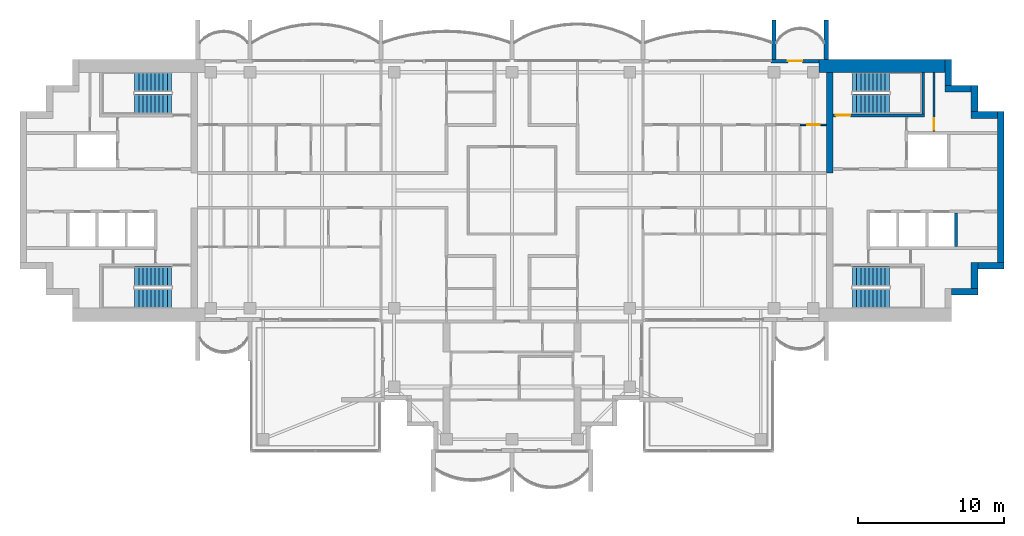
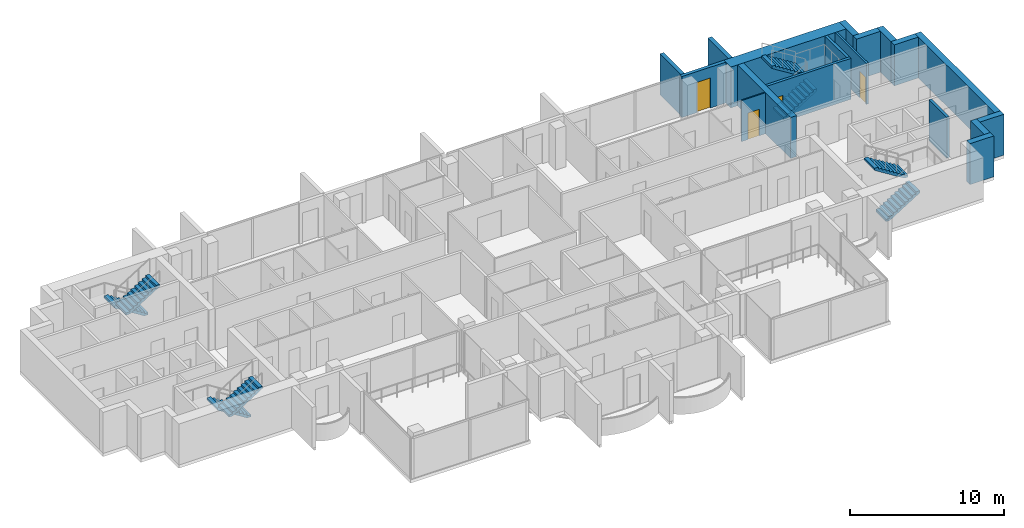
# One storey, part 12 of 16: 18 walls, 8 stair flights, 4 doors, 4 openings, 4 elements without a shape of their own.
"""IFC4 building model written with IfcOpenShell, lengths in metres."""

from ifc_helpers import new_model, si_unit, direction, frame, frame_2d, origin, place, context, subcontext, project, spatial, polyline, rectangle, outline, extrude, material, layer, layer_set, type_object, element, fill, aggregate, save


model = new_model("IFC4")

# Units and contexts
model_context = context("Model", 3, precision=1e-05, world=origin(), true_north=direction((0.0, 1.0)))
body_context = subcontext(model_context, "Body", "Model", "MODEL_VIEW")
ifc_project = project(units=[si_unit("LENGTHUNIT", "METRE"), si_unit("AREAUNIT", "SQUARE_METRE"), si_unit("VOLUMEUNIT", "CUBIC_METRE"), si_unit("PLANEANGLEUNIT", "RADIAN"), si_unit("MASSUNIT", "GRAM", prefix="KILO")], contexts=[model_context])

# Site, building, storey
site_placement = place(None, origin())
site = spatial("IfcSite", under=ifc_project, at=site_placement, CompositionType="ELEMENT")
building_placement = place(site_placement, origin())
building = spatial("IfcBuilding", under=site, at=building_placement, Name="Perihelion Cross Residences", CompositionType="ELEMENT")
storey_placement = place(building_placement, frame((0.0, 0.0, 236.0)))
storey = spatial("IfcBuildingStorey", under=building, at=storey_placement, Name="L59", CompositionType="ELEMENT", Elevation=236.0)

# Wall, opening, door
ifc_material_1 = material(Name="Concrete C30/37, bronze-clad", Category="concrete")
ifc_layer_1 = layer(ifc_material_1, 0.25)
ifc_layer_set_1 = layer_set([ifc_layer_1], Name="Bronze-clad pier wall 250")
wall_type_1 = type_object("IfcWallType", Name="Bronze-clad pier wall 250", PredefinedType="SOLIDWALL", material=ifc_layer_set_1)
wall_1_placement = place(storey_placement, frame((21.10009765625, 8.875, 0.0), z_axis=(0.0, 0.0, 1.0), x_axis=(-1.0, 0.0, 0.0)))
wall_1 = element("IfcWall", 1, at=wall_1_placement, inside=storey, type_object=wall_type_1, Name="Wall FW1 L59 east side north bay 1 pier", PredefinedType="SOLIDWALL", context=body_context, shape_type="SweptSolid", body=[
    extrude(rectangle(XDim=3.300048828125, YDim=0.25, at=frame_2d((1.64990234375, 0.0))), origin(), (0.0, 0.0, 1.0), 3.25),
])
opening_1_placement = place(wall_1_placement, frame((1.14990234375, 0.0, 0.0)))
opening_1 = element("IfcOpeningElement", 2, at=opening_1_placement, cuts=wall_1, Name="Opening L59.E01", PredefinedType="OPENING", context=body_context, shape_type="SweptSolid", body=[
    extrude(rectangle(XDim=1.0, YDim=2.39990234375, at=frame_2d((0.5, 1.199951171875))), frame((0.0, 0.135009765625, 0.0), z_axis=(0.0, -1.0, 0.0), x_axis=(1.0, 0.0, 0.0)), (0.0, 0.0, 1.0), 0.27001953125),
])
ifc_material_2 = material(Name="Bronze anodised aluminium, glazed", Category="aluminium")
door_type_1 = type_object("IfcDoorType", Name="Balcony door 1000 x 2400", OperationType="NOTDEFINED", PredefinedType="DOOR", material=ifc_material_2)
door_1_placement = place(opening_1_placement, origin())
door_1 = element("IfcDoor", 3, at=door_1_placement, inside=storey, type_object=door_type_1, Name="Door L59.E01 east side north bay 1", OperationType="SINGLE_SWING_LEFT", OverallHeight=2.39990234375, OverallWidth=1.0, PredefinedType="DOOR", context=body_context, shape_type="SweptSolid", body=[
    extrude(rectangle(XDim=1.0, YDim=2.39990234375, at=frame_2d((0.5, 1.199951171875))), frame((0.0, 0.02490234375, 0.0), z_axis=(0.0, -1.0, 0.0), x_axis=(1.0, 0.0, 0.0)), (0.0, 0.0, 1.0), 0.050048828125),
])
fill(opening_1, door_1)

# Walls
ifc_material_3 = material(Name="Concrete C60/75", Category="concrete")
ifc_layer_2 = layer(ifc_material_3, 0.449951171875)
ifc_layer_set_2 = layer_set([ifc_layer_2], Name="Core wall, inner 450")
wall_type_2 = type_object("IfcWallType", Name="Core wall, inner 450", PredefinedType="SHEAR", material=ifc_layer_set_2)
wall_2_placement = place(storey_placement, frame((21.824951171875, 1.199951171875, 0.0), z_axis=(0.0, 0.0, 1.0), x_axis=(0.0, 1.0, 0.0)))
element("IfcWall", 4, at=wall_2_placement, inside=storey, type_object=wall_type_2, Name="East core core wall, inner", PredefinedType="SHEAR", context=body_context, shape_type="SweptSolid", body=[
    extrude(rectangle(XDim=6.900146484375, YDim=0.449951171875, at=frame_2d((3.4501953125, 0.0))), origin(), (0.0, 0.0, 1.0), 3.25),
])
ifc_material_4 = material(Name="Concrete C60/75", Category="concrete")
ifc_layer_3 = layer(ifc_material_4, 0.449951171875)
ifc_layer_set_3 = layer_set([ifc_layer_3], Name="Core wall, outer 450")
wall_type_3 = type_object("IfcWallType", Name="Core wall, outer 450", PredefinedType="SHEAR", material=ifc_layer_set_3)
for number, where, z_axis, x_axis, name in (
    (5, (30.199951171875, -6.97509765625, 0.0), (0.0, 0.0, 1.0), (1.0, 0.0, 0.0), "East core core wall, outer"),
    (6, (31.77490234375, -6.75, 0.0), (0.0, 0.0, 1.0), (0.0, 1.0, 0.0), "East core core wall, outer"),
    (7, (32.0, -5.175048828125, 0.0), (0.0, 0.0, 1.0), (1.0, 0.0, 0.0), "East core core wall, outer"),
):
    element("IfcWall", number, at=place(storey_placement, frame(where, z_axis=z_axis, x_axis=x_axis)), inside=storey, type_object=wall_type_3, Name=name, PredefinedType="SHEAR", context=body_context, shape_type="SweptSolid", body=[
        extrude(rectangle(XDim=1.800048828125, YDim=0.449951171875, at=frame_2d((0.89990234375, 0.0))), origin(), (0.0, 0.0, 1.0), 3.25),
    ])
wall_3_placement = place(storey_placement, frame((33.574951171875, -4.949951171875, 0.0), z_axis=(0.0, 0.0, 1.0), x_axis=(0.0, 1.0, 0.0)))
element("IfcWall", 8, at=wall_3_placement, inside=storey, type_object=wall_type_3, Name="East core core wall, outer", PredefinedType="SHEAR", context=body_context, shape_type="SweptSolid", body=[
    extrude(rectangle(XDim=10.349853515625, YDim=0.449951171875, at=frame_2d((5.1748046875, 0.0))), origin(), (0.0, 0.0, 1.0), 3.25),
])
for number, where, z_axis, x_axis, name in (
    (9, (31.550048828125, 5.175048828125, 0.0), (0.0, 0.0, 1.0), (1.0, 0.0, 0.0), "East core core wall, outer"),
    (10, (31.77490234375, 5.39990234375, 0.0), (0.0, 0.0, 1.0), (0.0, 1.0, 0.0), "East core core wall, outer"),
    (11, (29.75, 6.97509765625, 0.0), (0.0, 0.0, 1.0), (1.0, 0.0, 0.0), "East core core wall, outer"),
    (12, (29.97509765625, 7.199951171875, 0.0), (0.0, 0.0, 1.0), (0.0, 1.0, 0.0), "East core core wall, outer"),
):
    element("IfcWall", number, at=place(storey_placement, frame(where, z_axis=z_axis, x_axis=x_axis)), inside=storey, type_object=wall_type_3, Name=name, PredefinedType="SHEAR", context=body_context, shape_type="SweptSolid", body=[
        extrude(rectangle(XDim=1.800048828125, YDim=0.449951171875, at=frame_2d((0.89990234375, 0.0))), origin(), (0.0, 0.0, 1.0), 3.25),
    ])
ifc_material_5 = material(Name="Concrete C60/75", Category="concrete")
ifc_layer_4 = layer(ifc_material_5, 0.89990234375)
ifc_layer_set_4 = layer_set([ifc_layer_4], Name="Core wall, outer 900")
wall_type_4 = type_object("IfcWallType", Name="Core wall, outer 900", PredefinedType="SHEAR", material=ifc_layer_set_4)
wall_4_placement = place(storey_placement, frame((21.10009765625, 8.550048828125, 0.0), z_axis=(0.0, 0.0, 1.0), x_axis=(1.0, 0.0, 0.0)))
element("IfcWall", 13, at=wall_4_placement, inside=storey, type_object=wall_type_4, Name="East core core wall, outer", PredefinedType="SHEAR", context=body_context, shape_type="SweptSolid", body=[
    extrude(rectangle(XDim=8.64990234375, YDim=0.89990234375, at=frame_2d((4.324951171875, 0.0))), origin(), (0.0, 0.0, 1.0), 3.25),
])
ifc_material_6 = material(Name="Precast concrete C50/60", Category="concrete")
ifc_layer_5 = layer(ifc_material_6, 0.300048828125)
ifc_layer_set_5 = layer_set([ifc_layer_5], Name="Precast concrete C50/60 blade wall 300")
wall_type_5 = type_object("IfcWallType", Name="Precast concrete C50/60 blade wall 300", PredefinedType="SOLIDWALL", material=ifc_layer_set_5)
for number, where, z_axis, x_axis, name in (
    (14, (18.0, 9.0, 0.0), (0.0, 0.0, 1.0), (0.0, 1.0, 0.0), "Wall BL1 L59 no. 11"),
    (15, (21.60009765625, 9.0, 0.0), (0.0, 0.0, 1.0), (0.0, 1.0, 0.0), "Wall BL1 L59 no. 13"),
):
    element("IfcWall", number, at=place(storey_placement, frame(where, z_axis=z_axis, x_axis=x_axis)), inside=storey, type_object=wall_type_5, Name=name, PredefinedType="SOLIDWALL", context=body_context, shape_type="SweptSolid", body=[
        extrude(rectangle(XDim=2.699951171875, YDim=0.300048828125, at=frame_2d((1.35009765625, 0.0))), origin(), (0.0, 0.0, 1.0), 3.25),
    ])

# Wall, opening, door
ifc_material_7 = material(Name="Fire-rated board on steel stud", Category="steel")
ifc_layer_6 = layer(ifc_material_7, 0.14990234375)
ifc_layer_set_6 = layer_set([ifc_layer_6], Name="Riser wall 150")
wall_type_6 = type_object("IfcWallType", Name="Riser wall 150", PredefinedType="PARTITIONING", material=ifc_layer_set_6)
wall_5_placement = place(storey_placement, frame((29.0, 4.050048828125, 0.0), z_axis=(0.0, 0.0, 1.0), x_axis=(0.0, 1.0, 0.0)))
wall_5 = element("IfcWall", 16, at=wall_5_placement, inside=storey, type_object=wall_type_6, Name="East core riser wall", PredefinedType="PARTITIONING", context=body_context, shape_type="SweptSolid", body=[
    extrude(rectangle(XDim=4.050048828125, YDim=0.14990234375, at=frame_2d((2.02490234375, 0.0))), origin(), (0.0, 0.0, 1.0), 3.25),
])
opening_2_placement = place(wall_5_placement, frame((0.10009765625, 0.0, 0.0)))
opening_2 = element("IfcOpeningElement", 17, at=opening_2_placement, cuts=wall_5, Name="Opening L59.C12", PredefinedType="OPENING", context=body_context, shape_type="SweptSolid", body=[
    extrude(rectangle(XDim=0.800048828125, YDim=2.10009765625, at=frame_2d((0.39990234375, 1.050048828125))), frame((0.0, 0.0849609375, 0.0), z_axis=(0.0, -1.0, 0.0), x_axis=(1.0, 0.0, 0.0)), (0.0, 0.0, 1.0), 0.169921875),
])
ifc_material_8 = material(Name="Steel, powder coated", Category="steel")
door_type_2 = type_object("IfcDoorType", Name="Riser door 800", OperationType="SINGLE_SWING_LEFT", PredefinedType="DOOR", material=ifc_material_8)
door_2_placement = place(opening_2_placement, origin())
door_2 = element("IfcDoor", 18, at=door_2_placement, inside=storey, type_object=door_type_2, Name="East core riser door", OperationType="SINGLE_SWING_LEFT", OverallHeight=2.10009765625, OverallWidth=0.800048828125, PredefinedType="DOOR", context=body_context, shape_type="SweptSolid", body=[
    extrude(rectangle(XDim=0.800048828125, YDim=2.10009765625, at=frame_2d((0.39990234375, 1.050048828125))), frame((0.0, 0.02490234375, 0.0), z_axis=(0.0, -1.0, 0.0), x_axis=(1.0, 0.0, 0.0)), (0.0, 0.0, 1.0), 0.050048828125),
])
fill(opening_2, door_2)

# Wall
ifc_material_9 = material(Name="Concrete C50/60", Category="concrete")
ifc_layer_7 = layer(ifc_material_9, 0.199951171875)
ifc_layer_set_7 = layer_set([ifc_layer_7], Name="Shaft wall 200")
wall_type_7 = type_object("IfcWallType", Name="Shaft wall 200", PredefinedType="SOLIDWALL", material=ifc_layer_set_7)
wall_6_placement = place(storey_placement, frame((30.5, -3.85009765625, 0.0), z_axis=(0.0, 0.0, 1.0), x_axis=(0.0, 1.0, 0.0)))
element("IfcWall", 19, at=wall_6_placement, inside=storey, type_object=wall_type_7, Name="East core shaft wall", PredefinedType="SOLIDWALL", context=body_context, shape_type="SweptSolid", body=[
    extrude(rectangle(XDim=2.300048828125, YDim=0.199951171875, at=frame_2d((1.14990234375, 0.0))), origin(), (0.0, 0.0, 1.0), 3.25),
])

# Wall, opening, door
ifc_material_10 = material(Name="Concrete C50/60", Category="concrete")
ifc_layer_8 = layer(ifc_material_10, 0.199951171875)
ifc_layer_set_8 = layer_set([ifc_layer_8], Name="Stair wall 200")
wall_type_8 = type_object("IfcWallType", Name="Stair wall 200", PredefinedType="SOLIDWALL", material=ifc_layer_set_8)
wall_7_placement = place(storey_placement, frame((22.050048828125, 5.14990234375, 0.0), z_axis=(0.0, 0.0, 1.0), x_axis=(1.0, 0.0, 0.0)))
wall_7 = element("IfcWall", 20, at=wall_7_placement, inside=storey, type_object=wall_type_8, Name="East core stair wall", PredefinedType="SOLIDWALL", context=body_context, shape_type="SweptSolid", body=[
    extrude(rectangle(XDim=6.300048828125, YDim=0.199951171875, at=frame_2d((3.14990234375, 0.0))), origin(), (0.0, 0.0, 1.0), 3.25),
])
opening_3_placement = place(wall_7_placement, frame((0.199951171875, 0.0, 0.0)))
opening_3 = element("IfcOpeningElement", 21, at=opening_3_placement, cuts=wall_7, Name="Opening L59.C06", PredefinedType="OPENING", context=body_context, shape_type="SweptSolid", body=[
    extrude(rectangle(XDim=1.0, YDim=2.10009765625, at=frame_2d((0.5, 1.050048828125))), frame((0.0, 0.10986328125, 0.0), z_axis=(0.0, -1.0, 0.0), x_axis=(1.0, 0.0, 0.0)), (0.0, 0.0, 1.0), 0.219970703125),
])
ifc_material_11 = material(Name="Steel, powder coated", Category="steel")
door_type_3 = type_object("IfcDoorType", Name="Stair door 1000", OperationType="SINGLE_SWING_LEFT", PredefinedType="DOOR", material=ifc_material_11)
door_3_placement = place(opening_3_placement, origin())
door_3 = element("IfcDoor", 22, at=door_3_placement, inside=storey, type_object=door_type_3, Name="East core stair door", OperationType="SINGLE_SWING_LEFT", OverallHeight=2.10009765625, OverallWidth=1.0, PredefinedType="DOOR", context=body_context, shape_type="SweptSolid", body=[
    extrude(rectangle(XDim=1.0, YDim=2.10009765625, at=frame_2d((0.5, 1.050048828125))), frame((0.0, 0.02490234375, 0.0), z_axis=(0.0, -1.0, 0.0), x_axis=(1.0, 0.0, 0.0)), (0.0, 0.0, 1.0), 0.050048828125),
])
fill(opening_3, door_3)

# Wall
wall_8_placement = place(storey_placement, frame((28.25, 5.25, 0.0), z_axis=(0.0, 0.0, 1.0), x_axis=(0.0, 1.0, 0.0)))
element("IfcWall", 23, at=wall_8_placement, inside=storey, type_object=wall_type_8, Name="East core stair wall", PredefinedType="SOLIDWALL", context=body_context, shape_type="SweptSolid", body=[
    extrude(rectangle(XDim=2.85009765625, YDim=0.199951171875, at=frame_2d((1.425048828125, 0.0))), origin(), (0.0, 0.0, 1.0), 3.25),
])

# Wall, opening, door
ifc_material_12 = material(Name="Plasterboard partition")
ifc_layer_9 = layer(ifc_material_12, 0.10009765625)
ifc_layer_set_9 = layer_set([ifc_layer_9], Name="Wet room wall 100")
wall_type_9 = type_object("IfcWallType", Name="Wet room wall 100", PredefinedType="PARTITIONING", material=ifc_layer_set_9)
wall_9_placement = place(storey_placement, frame((19.800048828125, 4.5, 0.0), z_axis=(0.0, 0.0, 1.0), x_axis=(1.0, 0.0, 0.0)))
wall_9 = element("IfcWall", 24, at=wall_9_placement, inside=storey, type_object=wall_type_9, Name="Partition L59 W030", PredefinedType="PARTITIONING", context=body_context, shape_type="SweptSolid", body=[
    extrude(rectangle(XDim=1.800048828125, YDim=0.10009765625, at=frame_2d((0.89990234375, 0.0))), origin(), (0.0, 0.0, 1.0), 3.25),
])
opening_4_placement = place(wall_9_placement, frame((0.47509765625, 0.0, 0.0)))
opening_4 = element("IfcOpeningElement", 25, at=opening_4_placement, cuts=wall_9, Name="Opening L59.A05", PredefinedType="OPENING", context=body_context, shape_type="SweptSolid", body=[
    extrude(rectangle(XDim=0.85009765625, YDim=2.10009765625, at=frame_2d((0.425048828125, 1.050048828125))), frame((0.0, 0.06005859375, 0.0), z_axis=(0.0, -1.0, 0.0), x_axis=(1.0, 0.0, 0.0)), (0.0, 0.0, 1.0), 0.1201171875),
])
ifc_material_13 = material(Name="Timber door leaf", Category="wood")
door_type_4 = type_object("IfcDoorType", Name="Interior bathroom door 850 x 2100", OperationType="SINGLE_SWING_LEFT", PredefinedType="DOOR", material=ifc_material_13)
door_4_placement = place(opening_4_placement, origin())
door_4 = element("IfcDoor", 26, at=door_4_placement, inside=storey, type_object=door_type_4, Name="Door L59.A05", OperationType="SINGLE_SWING_LEFT", OverallHeight=2.10009765625, OverallWidth=0.85009765625, PredefinedType="DOOR", context=body_context, shape_type="SweptSolid", body=[
    extrude(rectangle(XDim=0.85009765625, YDim=2.10009765625, at=frame_2d((0.425048828125, 1.050048828125))), frame((0.0, 0.02490234375, 0.0), z_axis=(0.0, -1.0, 0.0), x_axis=(1.0, 0.0, 0.0)), (0.0, 0.0, 1.0), 0.050048828125),
])
fill(opening_4, door_4)

# Stair, stair flights
ifc_material_14 = material(Name="Concrete C40/50", Category="concrete")
stair_type = type_object("IfcStairType", Name="Exit stair, half-turn", PredefinedType="HALF_TURN_STAIR", material=ifc_material_14)
stair_1_placement = place(storey_placement, origin())
stair_1 = element("IfcStair", 27, at=stair_1_placement, inside=storey, type_object=stair_type, Name="L59 East core exit stair 1", PredefinedType="HALF_TURN_STAIR")
ifc_material_15 = material(Name="Concrete C40/50", Category="concrete")
stair_flight_type = type_object("IfcStairFlightType", Name="Exit stair flight", PredefinedType="STRAIGHT", material=ifc_material_15)
stair_flight_1_placement = place(storey_placement, frame((23.39990234375, 5.925048828125, 0.0), z_axis=(0.0, 0.0, 1.0), x_axis=(1.0, 0.0, 0.0)))
stair_flight_1 = element("IfcStairFlight", 28, at=stair_flight_1_placement, type_object=stair_flight_type, Name="ST-E1 flight 1", NumberOfRisers=10, NumberOfTreads=9, PredefinedType="STRAIGHT", RiserHeight=0.175, TreadLength=0.28, context=body_context, shape_type="SweptSolid", body=[
    extrude(outline(polyline([(0.0, 0.0), (0.0, 0.175048828125), (0.280029296875, 0.175048828125), (0.280029296875, 0.35009765625), (0.56005859375, 0.35009765625), (0.56005859375, 0.52490234375), (0.840087890625, 0.52490234375), (0.840087890625, 0.699951171875), (1.1201171875, 0.699951171875), (1.1201171875, 0.875), (1.39990234375, 0.875), (1.39990234375, 1.050048828125), (1.679931640625, 1.050048828125), (1.679931640625, 1.22509765625), (1.9599609375, 1.22509765625), (1.9599609375, 1.39990234375), (2.239990234375, 1.39990234375), (2.239990234375, 1.574951171875), (2.52001953125, 1.574951171875), (2.52001953125, 1.75), (2.52001953125, 1.398193359375), (0.28271484375, 0.0), (0.0, 0.0)])), frame((0.0, 0.675048828125, 0.0), z_axis=(0.0, -1.0, 0.0), x_axis=(1.0, 0.0, 0.0)), (0.0, 0.0, 1.0), 1.35009765625),
])
stair_flight_2_placement = place(storey_placement, frame((25.919921875, 7.425048828125, 1.75), z_axis=(0.0, 0.0, 1.0), x_axis=(-1.0, 0.0, 0.0)))
stair_flight_2 = element("IfcStairFlight", 29, at=stair_flight_2_placement, type_object=stair_flight_type, Name="ST-E1 flight 2", NumberOfRisers=10, NumberOfTreads=9, PredefinedType="STRAIGHT", RiserHeight=0.175, TreadLength=0.28, context=body_context, shape_type="SweptSolid", body=[
    extrude(outline(polyline([(0.0, 0.0), (0.0, 0.175048828125), (0.280029296875, 0.175048828125), (0.280029296875, 0.35009765625), (0.56005859375, 0.35009765625), (0.56005859375, 0.52490234375), (0.840087890625, 0.52490234375), (0.840087890625, 0.699951171875), (1.1201171875, 0.699951171875), (1.1201171875, 0.875), (1.39990234375, 0.875), (1.39990234375, 1.050048828125), (1.679931640625, 1.050048828125), (1.679931640625, 1.22509765625), (1.9599609375, 1.22509765625), (1.9599609375, 1.39990234375), (2.239990234375, 1.39990234375), (2.239990234375, 1.574951171875), (2.52001953125, 1.574951171875), (2.52001953125, 1.75), (2.52001953125, 1.398193359375), (0.28271484375, 0.0), (0.0, 0.0)])), frame((0.0, 0.675048828125, 0.0), z_axis=(0.0, -1.0, 0.0), x_axis=(1.0, 0.0, 0.0)), (0.0, 0.0, 1.0), 1.35009765625),
])
aggregate(stair_1, [stair_flight_1, stair_flight_2])

stair_2_placement = place(storey_placement, origin())
stair_2 = element("IfcStair", 30, at=stair_2_placement, inside=storey, type_object=stair_type, Name="L59 East core exit stair 2", PredefinedType="HALF_TURN_STAIR")
stair_flight_3_placement = place(storey_placement, frame((23.39990234375, -7.425048828125, 0.0), z_axis=(0.0, 0.0, 1.0), x_axis=(1.0, 0.0, 0.0)))
stair_flight_3 = element("IfcStairFlight", 31, at=stair_flight_3_placement, type_object=stair_flight_type, Name="ST-E2 flight 1", NumberOfRisers=10, NumberOfTreads=9, PredefinedType="STRAIGHT", RiserHeight=0.175, TreadLength=0.28, context=body_context, shape_type="SweptSolid", body=[
    extrude(outline(polyline([(0.0, 0.0), (0.0, 0.175048828125), (0.280029296875, 0.175048828125), (0.280029296875, 0.35009765625), (0.56005859375, 0.35009765625), (0.56005859375, 0.52490234375), (0.840087890625, 0.52490234375), (0.840087890625, 0.699951171875), (1.1201171875, 0.699951171875), (1.1201171875, 0.875), (1.39990234375, 0.875), (1.39990234375, 1.050048828125), (1.679931640625, 1.050048828125), (1.679931640625, 1.22509765625), (1.9599609375, 1.22509765625), (1.9599609375, 1.39990234375), (2.239990234375, 1.39990234375), (2.239990234375, 1.574951171875), (2.52001953125, 1.574951171875), (2.52001953125, 1.75), (2.52001953125, 1.398193359375), (0.28271484375, 0.0), (0.0, 0.0)])), frame((0.0, 0.675048828125, 0.0), z_axis=(0.0, -1.0, 0.0), x_axis=(1.0, 0.0, 0.0)), (0.0, 0.0, 1.0), 1.35009765625),
])
stair_flight_4_placement = place(storey_placement, frame((25.919921875, -5.925048828125, 1.75), z_axis=(0.0, 0.0, 1.0), x_axis=(-1.0, 0.0, 0.0)))
stair_flight_4 = element("IfcStairFlight", 32, at=stair_flight_4_placement, type_object=stair_flight_type, Name="ST-E2 flight 2", NumberOfRisers=10, NumberOfTreads=9, PredefinedType="STRAIGHT", RiserHeight=0.175, TreadLength=0.28, context=body_context, shape_type="SweptSolid", body=[
    extrude(outline(polyline([(0.0, 0.0), (0.0, 0.175048828125), (0.280029296875, 0.175048828125), (0.280029296875, 0.35009765625), (0.56005859375, 0.35009765625), (0.56005859375, 0.52490234375), (0.840087890625, 0.52490234375), (0.840087890625, 0.699951171875), (1.1201171875, 0.699951171875), (1.1201171875, 0.875), (1.39990234375, 0.875), (1.39990234375, 1.050048828125), (1.679931640625, 1.050048828125), (1.679931640625, 1.22509765625), (1.9599609375, 1.22509765625), (1.9599609375, 1.39990234375), (2.239990234375, 1.39990234375), (2.239990234375, 1.574951171875), (2.52001953125, 1.574951171875), (2.52001953125, 1.75), (2.52001953125, 1.398193359375), (0.28271484375, 0.0), (0.0, 0.0)])), frame((0.0, 0.675048828125, 0.0), z_axis=(0.0, -1.0, 0.0), x_axis=(1.0, 0.0, 0.0)), (0.0, 0.0, 1.0), 1.35009765625),
])
aggregate(stair_2, [stair_flight_3, stair_flight_4])

stair_3_placement = place(storey_placement, origin())
stair_3 = element("IfcStair", 33, at=stair_3_placement, inside=storey, type_object=stair_type, Name="L59 West core exit stair 1", PredefinedType="HALF_TURN_STAIR")
stair_flight_5_placement = place(storey_placement, frame((-23.39990234375, 7.425048828125, 0.0), z_axis=(0.0, 0.0, 1.0), x_axis=(-1.0, 0.0, 0.0)))
stair_flight_5 = element("IfcStairFlight", 34, at=stair_flight_5_placement, type_object=stair_flight_type, Name="ST-W1 flight 1", NumberOfRisers=10, NumberOfTreads=9, PredefinedType="STRAIGHT", RiserHeight=0.175, TreadLength=0.28, context=body_context, shape_type="SweptSolid", body=[
    extrude(outline(polyline([(0.0, 0.0), (0.0, 0.175048828125), (0.280029296875, 0.175048828125), (0.280029296875, 0.35009765625), (0.56005859375, 0.35009765625), (0.56005859375, 0.52490234375), (0.840087890625, 0.52490234375), (0.840087890625, 0.699951171875), (1.1201171875, 0.699951171875), (1.1201171875, 0.875), (1.39990234375, 0.875), (1.39990234375, 1.050048828125), (1.679931640625, 1.050048828125), (1.679931640625, 1.22509765625), (1.9599609375, 1.22509765625), (1.9599609375, 1.39990234375), (2.239990234375, 1.39990234375), (2.239990234375, 1.574951171875), (2.52001953125, 1.574951171875), (2.52001953125, 1.75), (2.52001953125, 1.398193359375), (0.28271484375, 0.0), (0.0, 0.0)])), frame((0.0, 0.675048828125, 0.0), z_axis=(0.0, -1.0, 0.0), x_axis=(1.0, 0.0, 0.0)), (0.0, 0.0, 1.0), 1.35009765625),
])
stair_flight_6_placement = place(storey_placement, frame((-25.919921875, 5.925048828125, 1.75), z_axis=(0.0, 0.0, 1.0), x_axis=(1.0, 0.0, 0.0)))
stair_flight_6 = element("IfcStairFlight", 35, at=stair_flight_6_placement, type_object=stair_flight_type, Name="ST-W1 flight 2", NumberOfRisers=10, NumberOfTreads=9, PredefinedType="STRAIGHT", RiserHeight=0.175, TreadLength=0.28, context=body_context, shape_type="SweptSolid", body=[
    extrude(outline(polyline([(0.0, 0.0), (0.0, 0.175048828125), (0.280029296875, 0.175048828125), (0.280029296875, 0.35009765625), (0.56005859375, 0.35009765625), (0.56005859375, 0.52490234375), (0.840087890625, 0.52490234375), (0.840087890625, 0.699951171875), (1.1201171875, 0.699951171875), (1.1201171875, 0.875), (1.39990234375, 0.875), (1.39990234375, 1.050048828125), (1.679931640625, 1.050048828125), (1.679931640625, 1.22509765625), (1.9599609375, 1.22509765625), (1.9599609375, 1.39990234375), (2.239990234375, 1.39990234375), (2.239990234375, 1.574951171875), (2.52001953125, 1.574951171875), (2.52001953125, 1.75), (2.52001953125, 1.398193359375), (0.28271484375, 0.0), (0.0, 0.0)])), frame((0.0, 0.675048828125, 0.0), z_axis=(0.0, -1.0, 0.0), x_axis=(1.0, 0.0, 0.0)), (0.0, 0.0, 1.0), 1.35009765625),
])
aggregate(stair_3, [stair_flight_5, stair_flight_6])

stair_4_placement = place(storey_placement, origin())
stair_4 = element("IfcStair", 36, at=stair_4_placement, inside=storey, type_object=stair_type, Name="L59 West core exit stair 2", PredefinedType="HALF_TURN_STAIR")
stair_flight_7_placement = place(storey_placement, frame((-23.39990234375, -5.925048828125, 0.0), z_axis=(0.0, 0.0, 1.0), x_axis=(-1.0, 0.0, 0.0)))
stair_flight_7 = element("IfcStairFlight", 37, at=stair_flight_7_placement, type_object=stair_flight_type, Name="ST-W2 flight 1", NumberOfRisers=10, NumberOfTreads=9, PredefinedType="STRAIGHT", RiserHeight=0.175, TreadLength=0.28, context=body_context, shape_type="SweptSolid", body=[
    extrude(outline(polyline([(0.0, 0.0), (0.0, 0.175048828125), (0.280029296875, 0.175048828125), (0.280029296875, 0.35009765625), (0.56005859375, 0.35009765625), (0.56005859375, 0.52490234375), (0.840087890625, 0.52490234375), (0.840087890625, 0.699951171875), (1.1201171875, 0.699951171875), (1.1201171875, 0.875), (1.39990234375, 0.875), (1.39990234375, 1.050048828125), (1.679931640625, 1.050048828125), (1.679931640625, 1.22509765625), (1.9599609375, 1.22509765625), (1.9599609375, 1.39990234375), (2.239990234375, 1.39990234375), (2.239990234375, 1.574951171875), (2.52001953125, 1.574951171875), (2.52001953125, 1.75), (2.52001953125, 1.398193359375), (0.28271484375, 0.0), (0.0, 0.0)])), frame((0.0, 0.675048828125, 0.0), z_axis=(0.0, -1.0, 0.0), x_axis=(1.0, 0.0, 0.0)), (0.0, 0.0, 1.0), 1.35009765625),
])
stair_flight_8_placement = place(storey_placement, frame((-25.919921875, -7.425048828125, 1.75), z_axis=(0.0, 0.0, 1.0), x_axis=(1.0, 0.0, 0.0)))
stair_flight_8 = element("IfcStairFlight", 38, at=stair_flight_8_placement, type_object=stair_flight_type, Name="ST-W2 flight 2", NumberOfRisers=10, NumberOfTreads=9, PredefinedType="STRAIGHT", RiserHeight=0.175, TreadLength=0.28, context=body_context, shape_type="SweptSolid", body=[
    extrude(outline(polyline([(0.0, 0.0), (0.0, 0.175048828125), (0.280029296875, 0.175048828125), (0.280029296875, 0.35009765625), (0.56005859375, 0.35009765625), (0.56005859375, 0.52490234375), (0.840087890625, 0.52490234375), (0.840087890625, 0.699951171875), (1.1201171875, 0.699951171875), (1.1201171875, 0.875), (1.39990234375, 0.875), (1.39990234375, 1.050048828125), (1.679931640625, 1.050048828125), (1.679931640625, 1.22509765625), (1.9599609375, 1.22509765625), (1.9599609375, 1.39990234375), (2.239990234375, 1.39990234375), (2.239990234375, 1.574951171875), (2.52001953125, 1.574951171875), (2.52001953125, 1.75), (2.52001953125, 1.398193359375), (0.28271484375, 0.0), (0.0, 0.0)])), frame((0.0, 0.675048828125, 0.0), z_axis=(0.0, -1.0, 0.0), x_axis=(1.0, 0.0, 0.0)), (0.0, 0.0, 1.0), 1.35009765625),
])
aggregate(stair_4, [stair_flight_7, stair_flight_8])

save(model, "model.ifc")
